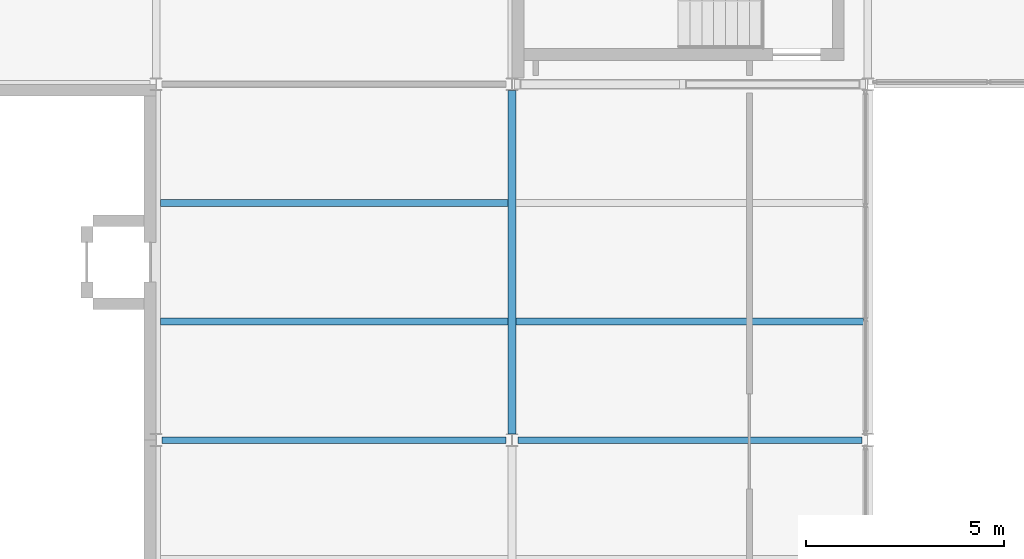
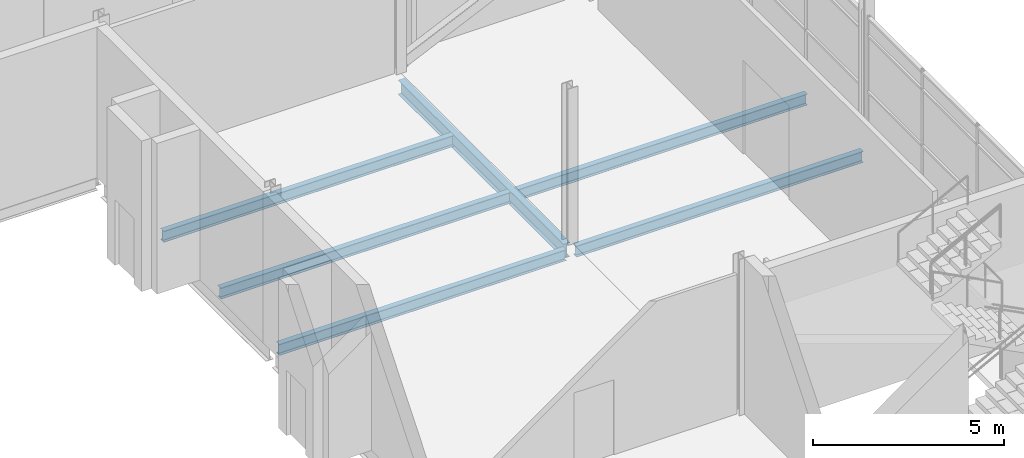
# One storey, part 37 of 112: 6 beams.
"""IFC4 building model written with IfcOpenShell, lengths in metres."""

import ifcopenshell
import ifcopenshell.guid

model = None  # the IFC model being written
_history = None  # IfcOwnerHistory: only IFC2X3 demands one
_inside = {}  # id of a spatial element -> (the spatial element, [elements in it])
_under = {}  # id of a project, library or spatial element -> (it, [spatial elements below it])
_declared = {}  # id of a project -> (the project, [libraries it declares])
_typed = {}  # id of a type object -> (the type object, [elements of that type])
_made_of = {}  # id of a material, layer set ... -> (it, [elements and type objects made of it])


def new_model(schema):
    """Start an empty IFC model of exactly this schema.

    Asked for "IFC4X3", IfcOpenShell would pick the latest addendum, in which some entities
    have other attributes; the version numbers below select the first issue.
    IFC2X3 requires an IfcOwnerHistory on every rooted entity: one is made here for all.
    """
    global model, _history
    if schema == "IFC4X3":
        model = ifcopenshell.file(schema_version=(4, 3, 0, 0))
    else:
        model = ifcopenshell.file(schema=schema)
    _inside.clear()
    _under.clear()
    _declared.clear()
    _typed.clear()
    _made_of.clear()
    _history = None
    if model.schema == "IFC2X3":
        org = make("IfcOrganization", Name="unknown")
        user = make(
            "IfcPersonAndOrganization",
            ThePerson=make("IfcPerson", FamilyName="unknown"),
            TheOrganization=org,
        )
        app = make(
            "IfcApplication",
            ApplicationDeveloper=org,
            Version="unknown",
            ApplicationFullName="unknown",
            ApplicationIdentifier="unknown",
        )
        _history = make(
            "IfcOwnerHistory",
            OwningUser=user,
            OwningApplication=app,
            ChangeAction="ADDED",
            CreationDate=0,
        )
    return model


def make(cls, **values):
    """One entity of the class cls with the attributes given. An attribute that is None is left unset."""
    return model.create_entity(
        cls, **{name: value for name, value in values.items() if value is not None}
    )


def rooted(cls, **values):
    """An entity with a GlobalId (a new one), such as an element, a storey or a relation."""
    return make(cls, GlobalId=ifcopenshell.guid.new(), OwnerHistory=_history, **values)


def si_unit(unit_type, name, prefix=None):
    """IfcSIUnit, for example si_unit("LENGTHUNIT", "METRE", prefix="MILLI")."""
    return make("IfcSIUnit", UnitType=unit_type, Prefix=prefix, Name=name)


def assignment(units):
    """IfcUnitAssignment: the units of a project."""
    return None if units is None else make("IfcUnitAssignment", Units=units)


def point(xyz):
    """IfcCartesianPoint."""
    return None if xyz is None else make("IfcCartesianPoint", Coordinates=xyz)


def direction(xyz):
    """IfcDirection."""
    return None if xyz is None else make("IfcDirection", DirectionRatios=xyz)


def frame(location, z_axis=None, x_axis=None):
    """IfcAxis2Placement3D, a coordinate frame: its origin and axes. An axis left out is left unset."""
    return make(
        "IfcAxis2Placement3D",
        Location=point(location),
        Axis=direction(z_axis),
        RefDirection=direction(x_axis),
    )


def frame_2d(location, x_axis=None):
    """IfcAxis2Placement2D, a coordinate frame in the plane: its origin and x axis."""
    return make(
        "IfcAxis2Placement2D", Location=point(location), RefDirection=direction(x_axis)
    )


def origin():
    """The frame at (0, 0, 0) with its axes left unset."""
    return frame((0.0, 0.0, 0.0))


def origin_2d():
    """The frame at (0, 0) in the plane with its x axis left unset."""
    return frame_2d((0.0, 0.0))


def place(relative_to, where):
    """IfcLocalPlacement: puts the frame where relative to a parent placement (None: the world)."""
    return make(
        "IfcLocalPlacement", PlacementRelTo=relative_to, RelativePlacement=where
    )


def context(
    kind, dimensions, precision=None, world=None, true_north=None, identifier=None
):
    """IfcGeometricRepresentationContext, for example the 3D "Model" context."""
    return make(
        "IfcGeometricRepresentationContext",
        ContextIdentifier=identifier,
        ContextType=kind,
        CoordinateSpaceDimension=dimensions,
        Precision=precision,
        WorldCoordinateSystem=world,
        TrueNorth=true_north,
    )


def subcontext(parent, identifier, kind, view, scale=None):
    """IfcGeometricRepresentationSubContext, for example "Body" below "Model"."""
    return make(
        "IfcGeometricRepresentationSubContext",
        ContextIdentifier=identifier,
        ContextType=kind,
        ParentContext=parent,
        TargetScale=scale,
        TargetView=view,
    )


def project(units=None, contexts=None):
    """IfcProject with its units and contexts."""
    return rooted(
        "IfcProject",
        Name="project",
        RepresentationContexts=contexts,
        UnitsInContext=assignment(units),
    )


def spatial(cls, under=None, at=None, **own):
    """A site, building, storey or space (cls), placed at a placement, below another one or the project."""
    s = rooted(cls, ObjectPlacement=at, **own)
    if under is not None:
        _under.setdefault(under.id(), (under, []))[1].append(s)
    return s


def profile(cls, at=None, kind="AREA", **sizes):
    """A parametric profile (cls). Its sizes go by their IFC names, for example OverallWidth=200.0."""
    return make(cls, ProfileType=kind, Position=at, **sizes)


def i_section(**sizes):
    """IfcIShapeProfileDef."""
    return profile("IfcIShapeProfileDef", **sizes)


def extrude(swept, where, along, depth):
    """IfcExtrudedAreaSolid: the profile swept, set in the frame where, extruded along a direction by depth."""
    return make(
        "IfcExtrudedAreaSolid",
        SweptArea=swept,
        Position=where,
        ExtrudedDirection=direction(along),
        Depth=depth,
    )


def shape(context_of_items, identifier, shape_type, items):
    """IfcShapeRepresentation: the items that make up one representation, for example the "Body"."""
    return make(
        "IfcShapeRepresentation",
        ContextOfItems=context_of_items,
        RepresentationIdentifier=identifier,
        RepresentationType=shape_type,
        Items=items,
    )


def material(Name=None, Category=None):
    """IfcMaterial."""
    return make("IfcMaterial", Name=Name, Category=Category)


def material_profile(
    of_material, cross_section, Name=None, Category=None, Priority=None
):
    """IfcMaterialProfile: a cross section and its material."""
    return make(
        "IfcMaterialProfile",
        Name=Name,
        Material=of_material,
        Profile=cross_section,
        Priority=Priority,
        Category=Category,
    )


def profile_set(profiles, Name=None, composite=None):
    """IfcMaterialProfileSet."""
    return make(
        "IfcMaterialProfileSet",
        Name=Name,
        MaterialProfiles=profiles,
        CompositeProfile=composite,
    )


def made_of(thing, what):
    """Note that an element or type object is made of a material, layer set ...; save() writes the relation."""
    if what is not None:
        _made_of.setdefault(what.id(), (what, []))[1].append(thing)
    return thing


def type_object(cls, material=None, **own):
    """A type object (cls), such as IfcWallType, which elements share."""
    return made_of(rooted(cls, **own), material)


def element(
    cls,
    number,
    at=None,
    inside=None,
    cuts=None,
    type_object=None,
    material=None,
    context=None,
    identifier="Body",
    shape_type=None,
    held_by="IfcProductDefinitionShape",
    body=None,
    shapes=None,
    **own,
):
    """One element of the class cls, such as IfcWall. Its Tag is "e" and its number.

    at: its placement. inside: the storey or other place that contains it. cuts: it is an
    opening in that element (IfcRelVoidsElement). A single representation is given by context,
    identifier, shape_type and body (its items); several are given by shapes. held_by: the class
    of the entity that holds the representations. save() writes the other relations.
    """
    e = rooted(cls, Tag="e%d" % number, ObjectPlacement=at, **own)
    if body is not None:
        shapes = [shape(context, identifier, shape_type, body)]
    if shapes is not None:
        e.Representation = make(held_by, Representations=shapes)
    if inside is not None:
        _inside.setdefault(inside.id(), (inside, []))[1].append(e)
    if cuts is not None:
        rooted(
            "IfcRelVoidsElement", RelatingBuildingElement=cuts, RelatedOpeningElement=e
        )
    if type_object is not None:
        _typed.setdefault(type_object.id(), (type_object, []))[1].append(e)
    return made_of(e, material)


def aggregate(whole, parts):
    """IfcRelAggregates: a whole, such as a stair, and the parts it consists of."""
    return rooted("IfcRelAggregates", RelatingObject=whole, RelatedObjects=parts)


def save(model, path):
    """Write the relations noted so far, then the file.

    IfcRelAggregates (storeys below a building ...), IfcRelContainedInSpatialStructure (elements
    in a storey), IfcRelDefinesByType, IfcRelAssociatesMaterial and IfcRelDeclares: one each for
    every whole, place, type object, material and project.
    """
    for whole, parts in _under.values():
        aggregate(whole, parts)
    for where, things in _inside.values():
        rooted(
            "IfcRelContainedInSpatialStructure",
            RelatedElements=things,
            RelatingStructure=where,
        )
    for kind, things in _typed.values():
        rooted("IfcRelDefinesByType", RelatedObjects=things, RelatingType=kind)
    for what, things in _made_of.values():
        rooted("IfcRelAssociatesMaterial", RelatedObjects=things, RelatingMaterial=what)
    for by, libraries in _declared.values():
        rooted("IfcRelDeclares", RelatingContext=by, RelatedDefinitions=libraries)
    model.write(path)


model = new_model("IFC4")

# Units and contexts
model_context = context("Model", 3, precision=1e-05, world=origin(), true_north=direction((0.0, 1.0)))
body_context = subcontext(model_context, "Body", "Model", "MODEL_VIEW")
ifc_project = project(units=[si_unit("LENGTHUNIT", "METRE"), si_unit("AREAUNIT", "SQUARE_METRE"), si_unit("VOLUMEUNIT", "CUBIC_METRE"), si_unit("PLANEANGLEUNIT", "RADIAN"), si_unit("MASSUNIT", "GRAM", prefix="KILO")], contexts=[model_context])

# Site, building, storey
site_placement = place(None, origin())
site = spatial("IfcSite", under=ifc_project, at=site_placement, CompositionType="ELEMENT")
building_placement = place(site_placement, origin())
building = spatial("IfcBuilding", under=site, at=building_placement, Name="Shorebreak Coast Museum", CompositionType="ELEMENT")
storey_placement = place(building_placement, frame((0.0, 0.0, 6.0)))
storey = spatial("IfcBuildingStorey", under=building, at=storey_placement, Name="L01", CompositionType="ELEMENT", Elevation=6.0)

# Beams
ifc_material_1 = material(Name="Steel Grade 300", Category="steel")
ifc_material_profile_1 = material_profile(ifc_material_1, i_section(OverallWidth=0.1708984375, OverallDepth=0.355712890625, WebThickness=0.00732421875, FlangeThickness=0.011474609375, FilletRadius=0.011474609375, at=origin_2d()), Name="360UB50.7")
ifc_profile_set_1 = profile_set([ifc_material_profile_1], Name="Steel Grade 300")
beam_type_1 = type_object("IfcBeamType", Name="Floor girder east-west 360UB50.7", PredefinedType="BEAM", material=ifc_profile_set_1)
beam_1_placement = place(storey_placement, frame((45.155517578125, 72.0, -0.352783203125), z_axis=(1.0, 0.0, 0.0), x_axis=(0.0, 1.0, 0.0)))
element("IfcBeam", 1, at=beam_1_placement, inside=storey, type_object=beam_type_1, Name="Floor girder east-west L01 6J", PredefinedType="BEAM", context=body_context, shape_type="SweptSolid", body=[
    extrude(i_section(OverallWidth=0.1708984375, OverallDepth=0.355712890625, WebThickness=0.00732421875, FlangeThickness=0.011474609375, FilletRadius=0.011474609375, at=origin_2d()), origin(), (0.0, 0.0, 1.0), 8.68994140625),
])
ifc_material_2 = material(Name="Steel Grade 300", Category="steel")
ifc_material_profile_2 = material_profile(ifc_material_2, i_section(OverallWidth=0.172119140625, OverallDepth=0.358642578125, WebThickness=0.008056640625, FlangeThickness=0.012939453125, FilletRadius=0.011474609375, at=origin_2d()), Name="360UB56.7")
ifc_profile_set_2 = profile_set([ifc_material_profile_2], Name="Steel Grade 300")
beam_type_2 = type_object("IfcBeamType", Name="Floor girder east-west 360UB56.7", PredefinedType="BEAM", material=ifc_profile_set_2)
beam_2_placement = place(storey_placement, frame((54.154541015625, 72.0, -0.354248046875), z_axis=(1.0, 0.0, 0.0), x_axis=(0.0, 1.0, 0.0)))
element("IfcBeam", 2, at=beam_2_placement, inside=storey, type_object=beam_type_2, Name="Floor girder east-west L01 7J", PredefinedType="BEAM", context=body_context, shape_type="SweptSolid", body=[
    extrude(i_section(OverallWidth=0.172119140625, OverallDepth=0.358642578125, WebThickness=0.008056640625, FlangeThickness=0.012939453125, FilletRadius=0.011474609375, at=origin_2d()), origin(), (0.0, 0.0, 1.0), 8.68994140625),
])
ifc_material_3 = material(Name="Steel Grade 300", Category="steel")
ifc_material_profile_3 = material_profile(ifc_material_3, i_section(OverallWidth=0.19091796875, OverallDepth=0.46044921875, WebThickness=0.010009765625, FlangeThickness=0.01611328125, FilletRadius=0.011474609375, at=origin_2d()), Name="460UB82.1")
ifc_profile_set_3 = profile_set([ifc_material_profile_3], Name="Steel Grade 300")
beam_type_3 = type_object("IfcBeamType", Name="Floor girder north-south 460UB82.1", PredefinedType="BEAM", material=ifc_profile_set_3)
beam_3_placement = place(storey_placement, frame((54.0, 72.160400390625, -0.4052734375), z_axis=(0.0, 1.0, 0.0), x_axis=(-1.0, 0.0, 0.0)))
element("IfcBeam", 3, at=beam_3_placement, inside=storey, type_object=beam_type_3, Name="Floor girder north-south L01 7J", PredefinedType="BEAM", context=body_context, shape_type="SweptSolid", body=[
    extrude(i_section(OverallWidth=0.19091796875, OverallDepth=0.46044921875, WebThickness=0.010009765625, FlangeThickness=0.01611328125, FilletRadius=0.011474609375, at=origin_2d()), origin(), (0.0, 0.0, 1.0), 8.67919921875),
])
ifc_material_4 = material(Name="Steel Grade 300", Category="steel")
ifc_material_profile_4 = material_profile(ifc_material_4, i_section(OverallWidth=0.1708984375, OverallDepth=0.35205078125, WebThickness=0.0068359375, FlangeThickness=0.009765625, FilletRadius=0.011474609375, at=origin_2d()), Name="360UB44.7")
ifc_profile_set_4 = profile_set([ifc_material_profile_4], Name="Steel Grade 300")
beam_type_4 = type_object("IfcBeamType", Name="Floor joist 360UB44.7", PredefinedType="JOIST", material=ifc_profile_set_4)
beam_4_placement = place(storey_placement, frame((54.095458984375, 75.0, -0.35107421875), z_axis=(1.0, 0.0, 0.0), x_axis=(0.0, 1.0, 0.0)))
element("IfcBeam", 4, at=beam_4_placement, inside=storey, type_object=beam_type_4, Name="Floor joist L01 bay 7J at 3000 mm", PredefinedType="JOIST", context=body_context, shape_type="SweptSolid", body=[
    extrude(i_section(OverallWidth=0.1708984375, OverallDepth=0.35205078125, WebThickness=0.0068359375, FlangeThickness=0.009765625, FilletRadius=0.011474609375, at=origin_2d()), origin(), (0.0, 0.0, 1.0), 8.79052734375),
])
ifc_material_5 = material(Name="Steel Grade 300", Category="steel")
ifc_material_profile_5 = material_profile(ifc_material_5, i_section(OverallWidth=0.1708984375, OverallDepth=0.355712890625, WebThickness=0.00732421875, FlangeThickness=0.011474609375, FilletRadius=0.011474609375, at=origin_2d()), Name="360UB50.7")
ifc_profile_set_5 = profile_set([ifc_material_profile_5], Name="Steel Grade 300")
beam_type_5 = type_object("IfcBeamType", Name="Floor joist 360UB50.7", PredefinedType="JOIST", material=ifc_profile_set_5)
for number, where, z_axis, x_axis, name in (
    (5, (45.114013671875, 75.0, -0.352783203125), (1.0, 0.0, 0.0), (0.0, 1.0, 0.0), "Floor joist L01 bay 6J at 3000 mm"),
    (6, (45.114013671875, 78.0, -0.352783203125), (1.0, 0.0, 0.0), (0.0, 1.0, 0.0), "Floor joist L01 bay 6J at 6000 mm"),
):
    element("IfcBeam", number, at=place(storey_placement, frame(where, z_axis=z_axis, x_axis=x_axis)), inside=storey, type_object=beam_type_5, Name=name, PredefinedType="JOIST", context=body_context, shape_type="SweptSolid", body=[
        extrude(i_section(OverallWidth=0.1708984375, OverallDepth=0.355712890625, WebThickness=0.00732421875, FlangeThickness=0.011474609375, FilletRadius=0.011474609375, at=origin_2d()), origin(), (0.0, 0.0, 1.0), 8.79052734375),
    ])

save(model, "model.ifc")
